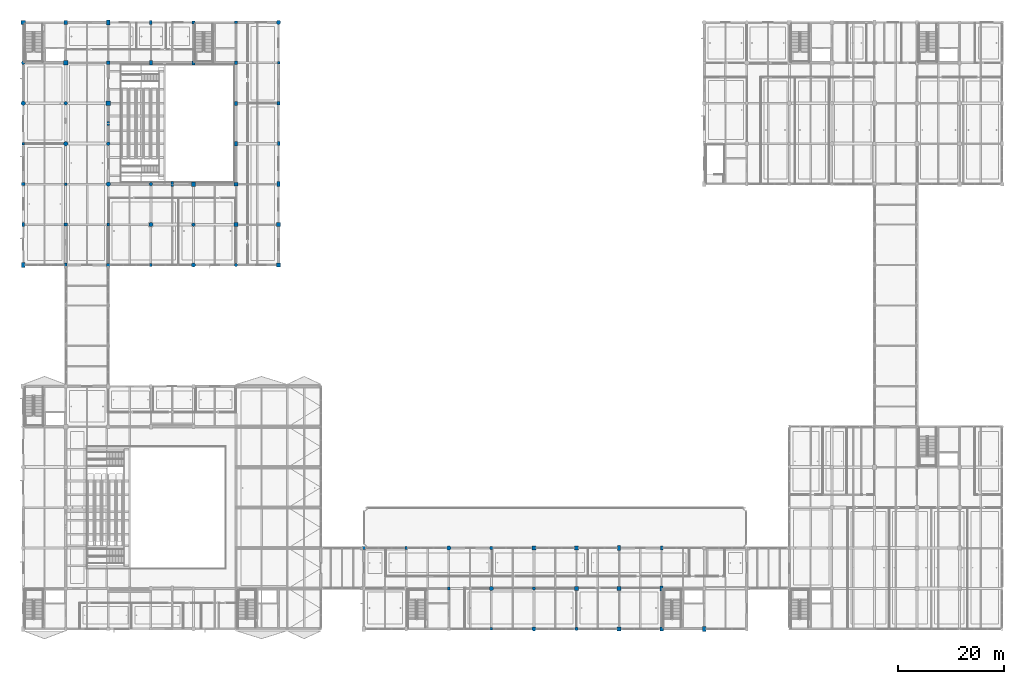
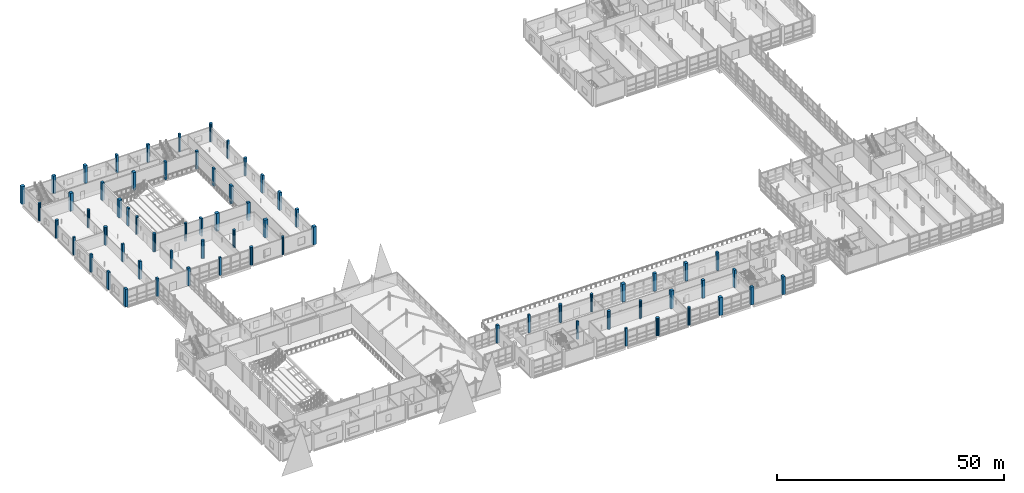
# One storey, part 5 of 147: 67 columns.
"""IFC4 building model written with IfcOpenShell, lengths in metres."""

from ifc_helpers import new_model, si_unit, direction, frame, origin, origin_2d, place, context, subcontext, project, spatial, rectangle, circle, extrude, material, material_profile, profile_set, type_object, element, save


model = new_model("IFC4")

# Units and contexts
model_context = context("Model", 3, precision=1e-05, world=origin(), true_north=direction((0.0, 1.0)))
body_context = subcontext(model_context, "Body", "Model", "MODEL_VIEW")
ifc_project = project(units=[si_unit("LENGTHUNIT", "METRE"), si_unit("AREAUNIT", "SQUARE_METRE"), si_unit("VOLUMEUNIT", "CUBIC_METRE"), si_unit("PLANEANGLEUNIT", "RADIAN"), si_unit("MASSUNIT", "GRAM", prefix="KILO")], contexts=[model_context])

# Site, building, storey
site_placement = place(None, origin())
site = spatial("IfcSite", under=ifc_project, at=site_placement, CompositionType="ELEMENT")
building_placement = place(site_placement, origin())
building = spatial("IfcBuilding", under=site, at=building_placement, Name="Khelvaren Railside Concert Hall", CompositionType="ELEMENT")
storey_placement = place(building_placement, frame((0.0, 0.0, 5.39990234375)))
storey = spatial("IfcBuildingStorey", under=building, at=storey_placement, Name="L01", CompositionType="ELEMENT", Elevation=5.39990234375)

# Columns
ifc_material = material(Name="Concrete C45/55", Category="concrete")
ifc_material_profile_1 = material_profile(ifc_material, rectangle(XDim=0.60009765625, YDim=0.60009765625, at=origin_2d()), Name="RC 600x600")
ifc_profile_set_1 = profile_set([ifc_material_profile_1], Name="Concrete C45/55")
column_type_1 = type_object("IfcColumnType", Name="COL11", PredefinedType="COLUMN", material=ifc_profile_set_1)
for number, where, z_axis, x_axis, name in (
    (1, (64.0, 15.199951171875, 0.0), (0.0, 0.0, 1.0), (1.0, 0.0, 0.0), "V3 L01 Column (64.0,15.2)"),
    (2, (0.0, 83.60009765625, 0.0), (0.0, 0.0, 1.0), (1.0, 0.0, 0.0), "V4 L01 Column (0.0,83.6)"),
    (3, (16.0, 68.39990234375, 0.0), (0.0, 0.0, 1.0), (1.0, 0.0, 0.0), "V4 L01 Column (16.0,68.4)"),
    (4, (32.0, 114.0, 0.0), (0.0, 0.0, 1.0), (1.0, 0.0, 0.0), "V4 L01 Column (32.0,114.0)"),
    (5, (48.0, 98.800048828125, 0.0), (0.0, 0.0, 1.0), (1.0, 0.0, 0.0), "V4 L01 Column (48.0,98.8)"),
):
    element("IfcColumn", number, at=place(storey_placement, frame(where, z_axis=z_axis, x_axis=x_axis)), inside=storey, type_object=column_type_1, Name=name, PredefinedType="COLUMN", context=body_context, shape_type="SweptSolid", body=[
        extrude(rectangle(XDim=0.60009765625, YDim=0.60009765625, at=origin_2d()), origin(), (0.0, 0.0, 1.0), 4.800048828125),
    ])
ifc_material_profile_2 = material_profile(ifc_material, circle(Radius=0.39990234375, at=origin_2d()), Name="RC D800")
ifc_profile_set_2 = profile_set([ifc_material_profile_2], Name="Concrete C45/55")
column_type_2 = type_object("IfcColumnType", Name="COL14", PredefinedType="COLUMN", material=ifc_profile_set_2)
for number, where, z_axis, x_axis, name in (
    (6, (88.0, 7.60009765625, 0.0), (0.0, 0.0, 1.0), (1.0, 0.0, 0.0), "V3 L01 Column (88.0,7.6)"),
    (7, (8.0, 91.199951171875, 0.0), (0.0, 0.0, 1.0), (1.0, 0.0, 0.0), "V4 L01 Column (8.0,91.2)"),
    (8, (16.0, 83.60009765625, 0.0), (0.0, 0.0, 1.0), (1.0, 0.0, 0.0), "V4 L01 Column (16.0,83.6)"),
    (9, (24.0, 76.0, 0.0), (0.0, 0.0, 1.0), (1.0, 0.0, 0.0), "V4 L01 Column (24.0,76.0)"),
):
    element("IfcColumn", number, at=place(storey_placement, frame(where, z_axis=z_axis, x_axis=x_axis)), inside=storey, type_object=column_type_2, Name=name, PredefinedType="COLUMN", context=body_context, shape_type="SweptSolid", body=[
        extrude(circle(Radius=0.39990234375, at=origin_2d()), origin(), (0.0, 0.0, 1.0), 4.800048828125),
    ])
ifc_material_profile_3 = material_profile(ifc_material, rectangle(XDim=0.699951171875, YDim=0.699951171875, at=origin_2d()), Name="RC 700x700")
ifc_profile_set_3 = profile_set([ifc_material_profile_3], Name="Concrete C45/55")
column_type_3 = type_object("IfcColumnType", Name="COL16", PredefinedType="COLUMN", material=ifc_profile_set_3)
for number, where, z_axis, x_axis, name in (
    (10, (104.0, 15.199951171875, 0.0), (0.0, 0.0, 1.0), (1.0, 0.0, 0.0), "V3 L01 Column (104.0,15.2)"),
    (11, (120.0, 0.0, 0.0), (0.0, 0.0, 1.0), (1.0, 0.0, 0.0), "V3 L01 Column (120.0,0.0)"),
    (12, (8.0, 114.0, 0.0), (0.0, 0.0, 1.0), (1.0, 0.0, 0.0), "V4 L01 Column (8.0,114.0)"),
    (13, (48.0, 76.0, 0.0), (0.0, 0.0, 1.0), (1.0, 0.0, 0.0), "V4 L01 Column (48.0,76.0)"),
):
    element("IfcColumn", number, at=place(storey_placement, frame(where, z_axis=z_axis, x_axis=x_axis)), inside=storey, type_object=column_type_3, Name=name, PredefinedType="COLUMN", context=body_context, shape_type="SweptSolid", body=[
        extrude(rectangle(XDim=0.699951171875, YDim=0.699951171875, at=origin_2d()), origin(), (0.0, 0.0, 1.0), 4.800048828125),
    ])
ifc_material_profile_4 = material_profile(ifc_material, rectangle(XDim=0.800048828125, YDim=0.800048828125, at=origin_2d()), Name="RC 800x800")
ifc_profile_set_4 = profile_set([ifc_material_profile_4], Name="Concrete C45/55")
column_type_4 = type_object("IfcColumnType", Name="COL20", PredefinedType="COLUMN", material=ifc_profile_set_4)
for number, where, z_axis, x_axis, name in (
    (14, (104.0, 7.60009765625, 0.0), (0.0, 0.0, 1.0), (1.0, 0.0, 0.0), "V3 L01 Column (104.0,7.6)"),
    (15, (8.0, 106.39990234375, 0.0), (0.0, 0.0, 1.0), (1.0, 0.0, 0.0), "V4 L01 Column (8.0,106.4)"),
    (16, (16.0, 98.800048828125, 0.0), (0.0, 0.0, 1.0), (1.0, 0.0, 0.0), "V4 L01 Column (16.0,98.8)"),
    (17, (32.0, 83.60009765625, 0.0), (0.0, 0.0, 1.0), (1.0, 0.0, 0.0), "V4 L01 Column (32.0,83.6)"),
    (18, (40.0, 76.0, 0.0), (0.0, 0.0, 1.0), (1.0, 0.0, 0.0), "V4 L01 Column (40.0,76.0)"),
):
    element("IfcColumn", number, at=place(storey_placement, frame(where, z_axis=z_axis, x_axis=x_axis)), inside=storey, type_object=column_type_4, Name=name, PredefinedType="COLUMN", context=body_context, shape_type="SweptSolid", body=[
        extrude(rectangle(XDim=0.800048828125, YDim=0.800048828125, at=origin_2d()), origin(), (0.0, 0.0, 1.0), 4.800048828125),
    ])
ifc_material_profile_5 = material_profile(ifc_material, circle(Radius=0.39990234375, at=origin_2d()), Name="RC D800")
ifc_profile_set_5 = profile_set([ifc_material_profile_5], Name="Concrete C45/55")
column_type_5 = type_object("IfcColumnType", Name="COL22", PredefinedType="COLUMN", material=ifc_profile_set_5)
for number, where, z_axis, x_axis, name in (
    (19, (80.0, 15.199951171875, 0.0), (0.0, 0.0, 1.0), (1.0, 0.0, 0.0), "V3 L01 Column (80.0,15.2)"),
    (20, (96.0, 0.0, 0.0), (0.0, 0.0, 1.0), (1.0, 0.0, 0.0), "V3 L01 Column (96.0,0.0)"),
    (21, (0.0, 98.800048828125, 0.0), (0.0, 0.0, 1.0), (1.0, 0.0, 0.0), "V4 L01 Column (0.0,98.8)"),
    (22, (32.0, 68.39990234375, 0.0), (0.0, 0.0, 1.0), (1.0, 0.0, 0.0), "V4 L01 Column (32.0,68.4)"),
    (23, (48.0, 114.0, 0.0), (0.0, 0.0, 1.0), (1.0, 0.0, 0.0), "V4 L01 Column (48.0,114.0)"),
):
    element("IfcColumn", number, at=place(storey_placement, frame(where, z_axis=z_axis, x_axis=x_axis)), inside=storey, type_object=column_type_5, Name=name, PredefinedType="COLUMN", context=body_context, shape_type="SweptSolid", body=[
        extrude(circle(Radius=0.39990234375, at=origin_2d()), origin(), (0.0, 0.0, 1.0), 4.800048828125),
    ])
ifc_material_profile_6 = material_profile(ifc_material, rectangle(XDim=0.60009765625, YDim=0.60009765625, at=origin_2d()), Name="RC 600x600")
ifc_profile_set_6 = profile_set([ifc_material_profile_6], Name="Concrete C45/55")
column_type_6 = type_object("IfcColumnType", Name="COL29", PredefinedType="COLUMN", material=ifc_profile_set_6)
for number, where, z_axis, x_axis, name in (
    (24, (8.0, 76.0, 0.0), (0.0, 0.0, 1.0), (1.0, 0.0, 0.0), "V4 L01 Column (8.0,76.0)"),
    (25, (40.0, 106.39990234375, 0.0), (0.0, 0.0, 1.0), (1.0, 0.0, 0.0), "V4 L01 Column (40.0,106.4)"),
):
    element("IfcColumn", number, at=place(storey_placement, frame(where, z_axis=z_axis, x_axis=x_axis)), inside=storey, type_object=column_type_6, Name=name, PredefinedType="COLUMN", context=body_context, shape_type="SweptSolid", body=[
        extrude(rectangle(XDim=0.60009765625, YDim=0.60009765625, at=origin_2d()), origin(), (0.0, 0.0, 1.0), 4.800048828125),
    ])
ifc_material_profile_7 = material_profile(ifc_material, rectangle(XDim=0.60009765625, YDim=0.89990234375, at=origin_2d()), Name="RC 600x900")
ifc_profile_set_7 = profile_set([ifc_material_profile_7], Name="Concrete C45/55")
column_type_7 = type_object("IfcColumnType", Name="COL33", PredefinedType="COLUMN", material=ifc_profile_set_7)
for number, where, z_axis, x_axis, name in (
    (26, (120.0, 7.60009765625, 0.0), (0.0, 0.0, 1.0), (1.0, 0.0, 0.0), "V3 L01 Column (120.0,7.6)"),
    (27, (24.0, 106.39990234375, 0.0), (0.0, 0.0, 1.0), (1.0, 0.0, 0.0), "V4 L01 Column (24.0,106.4)"),
    (28, (40.0, 91.199951171875, 0.0), (0.0, 0.0, 1.0), (1.0, 0.0, 0.0), "V4 L01 Column (40.0,91.2)"),
):
    element("IfcColumn", number, at=place(storey_placement, frame(where, z_axis=z_axis, x_axis=x_axis)), inside=storey, type_object=column_type_7, Name=name, PredefinedType="COLUMN", context=body_context, shape_type="SweptSolid", body=[
        extrude(rectangle(XDim=0.60009765625, YDim=0.89990234375, at=origin_2d()), origin(), (0.0, 0.0, 1.0), 4.800048828125),
    ])
ifc_material_profile_8 = material_profile(ifc_material, rectangle(XDim=0.5, YDim=0.5, at=origin_2d()), Name="RC 500x500")
ifc_profile_set_8 = profile_set([ifc_material_profile_8], Name="Concrete C45/55")
column_type_8 = type_object("IfcColumnType", Name="COL35", PredefinedType="COLUMN", material=ifc_profile_set_8)
for number, where, z_axis, x_axis, name in (
    (29, (72.0, 15.199951171875, 0.0), (0.0, 0.0, 1.0), (1.0, 0.0, 0.0), "V3 L01 Column (72.0,15.2)"),
    (30, (88.0, 0.0, 0.0), (0.0, 0.0, 1.0), (1.0, 0.0, 0.0), "V3 L01 Column (88.0,0.0)"),
    (31, (0.0, 91.199951171875, 0.0), (0.0, 0.0, 1.0), (1.0, 0.0, 0.0), "V4 L01 Column (0.0,91.2)"),
    (32, (24.0, 68.39990234375, 0.0), (0.0, 0.0, 1.0), (1.0, 0.0, 0.0), "V4 L01 Column (24.0,68.4)"),
    (33, (40.0, 114.0, 0.0), (0.0, 0.0, 1.0), (1.0, 0.0, 0.0), "V4 L01 Column (40.0,114.0)"),
    (34, (48.0, 106.39990234375, 0.0), (0.0, 0.0, 1.0), (1.0, 0.0, 0.0), "V4 L01 Column (48.0,106.4)"),
):
    element("IfcColumn", number, at=place(storey_placement, frame(where, z_axis=z_axis, x_axis=x_axis)), inside=storey, type_object=column_type_8, Name=name, PredefinedType="COLUMN", context=body_context, shape_type="SweptSolid", body=[
        extrude(rectangle(XDim=0.5, YDim=0.5, at=origin_2d()), origin(), (0.0, 0.0, 1.0), 4.800048828125),
    ])
ifc_material_profile_9 = material_profile(ifc_material, rectangle(XDim=0.5, YDim=0.75, at=origin_2d()), Name="RC 500x750")
ifc_profile_set_9 = profile_set([ifc_material_profile_9], Name="Concrete C45/55")
column_type_9 = type_object("IfcColumnType", Name="COL36", PredefinedType="COLUMN", material=ifc_profile_set_9)
for number, where, z_axis, x_axis, name in (
    (35, (32.0, 106.39990234375, 0.0), (0.0, 0.0, 1.0), (1.0, 0.0, 0.0), "V4 L01 Column (32.0,106.4)"),
    (36, (40.0, 98.800048828125, 0.0), (0.0, 0.0, 1.0), (1.0, 0.0, 0.0), "V4 L01 Column (40.0,98.8)"),
):
    element("IfcColumn", number, at=place(storey_placement, frame(where, z_axis=z_axis, x_axis=x_axis)), inside=storey, type_object=column_type_9, Name=name, PredefinedType="COLUMN", context=body_context, shape_type="SweptSolid", body=[
        extrude(rectangle(XDim=0.5, YDim=0.75, at=origin_2d()), origin(), (0.0, 0.0, 1.0), 4.800048828125),
    ])
ifc_material_profile_10 = material_profile(ifc_material, rectangle(XDim=0.800048828125, YDim=0.800048828125, at=origin_2d()), Name="RC 800x800")
ifc_profile_set_10 = profile_set([ifc_material_profile_10], Name="Concrete C45/55")
column_type_10 = type_object("IfcColumnType", Name="COL38", PredefinedType="COLUMN", material=ifc_profile_set_10)
for number, where, z_axis, x_axis, name in (
    (37, (96.0, 15.199951171875, 0.0), (0.0, 0.0, 1.0), (1.0, 0.0, 0.0), "V3 L01 Column (96.0,15.2)"),
    (38, (112.0, 0.0, 0.0), (0.0, 0.0, 1.0), (1.0, 0.0, 0.0), "V3 L01 Column (112.0,0.0)"),
    (39, (0.0, 114.0, 0.0), (0.0, 0.0, 1.0), (1.0, 0.0, 0.0), "V4 L01 Column (0.0,114.0)"),
    (40, (48.0, 68.39990234375, 0.0), (0.0, 0.0, 1.0), (1.0, 0.0, 0.0), "V4 L01 Column (48.0,68.4)"),
):
    element("IfcColumn", number, at=place(storey_placement, frame(where, z_axis=z_axis, x_axis=x_axis)), inside=storey, type_object=column_type_10, Name=name, PredefinedType="COLUMN", context=body_context, shape_type="SweptSolid", body=[
        extrude(rectangle(XDim=0.800048828125, YDim=0.800048828125, at=origin_2d()), origin(), (0.0, 0.0, 1.0), 4.800048828125),
    ])
ifc_material_profile_11 = material_profile(ifc_material, circle(Radius=0.324951171875, at=origin_2d()), Name="RC D650")
ifc_profile_set_11 = profile_set([ifc_material_profile_11], Name="Concrete C45/55")
column_type_11 = type_object("IfcColumnType", Name="COL53", PredefinedType="COLUMN", material=ifc_profile_set_11)
for number, where, z_axis, x_axis, name in (
    (41, (88.0, 15.199951171875, 0.0), (0.0, 0.0, 1.0), (1.0, 0.0, 0.0), "V3 L01 Column (88.0,15.2)"),
    (42, (104.0, 0.0, 0.0), (0.0, 0.0, 1.0), (1.0, 0.0, 0.0), "V3 L01 Column (104.0,0.0)"),
    (43, (0.0, 106.39990234375, 0.0), (0.0, 0.0, 1.0), (1.0, 0.0, 0.0), "V4 L01 Column (0.0,106.4)"),
    (44, (40.0, 68.39990234375, 0.0), (0.0, 0.0, 1.0), (1.0, 0.0, 0.0), "V4 L01 Column (40.0,68.4)"),
):
    element("IfcColumn", number, at=place(storey_placement, frame(where, z_axis=z_axis, x_axis=x_axis)), inside=storey, type_object=column_type_11, Name=name, PredefinedType="COLUMN", context=body_context, shape_type="SweptSolid", body=[
        extrude(circle(Radius=0.324951171875, at=origin_2d()), origin(), (0.0, 0.0, 1.0), 4.800048828125),
    ])
ifc_material_profile_12 = material_profile(ifc_material, rectangle(XDim=0.699951171875, YDim=0.699951171875, at=origin_2d()), Name="RC 700x700")
ifc_profile_set_12 = profile_set([ifc_material_profile_12], Name="Concrete C45/55")
column_type_12 = type_object("IfcColumnType", Name="COL74", PredefinedType="COLUMN", material=ifc_profile_set_12)
for number, where, z_axis, x_axis, name in (
    (45, (112.0, 7.60009765625, 0.0), (0.0, 0.0, 1.0), (1.0, 0.0, 0.0), "V3 L01 Column (112.0,7.6)"),
    (46, (16.0, 106.39990234375, 0.0), (0.0, 0.0, 1.0), (1.0, 0.0, 0.0), "V4 L01 Column (16.0,106.4)"),
    (47, (40.0, 83.60009765625, 0.0), (0.0, 0.0, 1.0), (1.0, 0.0, 0.0), "V4 L01 Column (40.0,83.6)"),
):
    element("IfcColumn", number, at=place(storey_placement, frame(where, z_axis=z_axis, x_axis=x_axis)), inside=storey, type_object=column_type_12, Name=name, PredefinedType="COLUMN", context=body_context, shape_type="SweptSolid", body=[
        extrude(rectangle(XDim=0.699951171875, YDim=0.699951171875, at=origin_2d()), origin(), (0.0, 0.0, 1.0), 4.800048828125),
    ])
ifc_material_profile_13 = material_profile(ifc_material, rectangle(XDim=0.5, YDim=0.5, at=origin_2d()), Name="RC 500x500")
ifc_profile_set_13 = profile_set([ifc_material_profile_13], Name="Concrete C45/55")
column_type_13 = type_object("IfcColumnType", Name="COL84", PredefinedType="COLUMN", material=ifc_profile_set_13)
for number, where, z_axis, x_axis, name in (
    (48, (80.0, 7.60009765625, 0.0), (0.0, 0.0, 1.0), (1.0, 0.0, 0.0), "V3 L01 Column (80.0,7.6)"),
    (49, (8.0, 83.60009765625, 0.0), (0.0, 0.0, 1.0), (1.0, 0.0, 0.0), "V4 L01 Column (8.0,83.6)"),
    (50, (16.0, 76.0, 0.0), (0.0, 0.0, 1.0), (1.0, 0.0, 0.0), "V4 L01 Column (16.0,76.0)"),
):
    element("IfcColumn", number, at=place(storey_placement, frame(where, z_axis=z_axis, x_axis=x_axis)), inside=storey, type_object=column_type_13, Name=name, PredefinedType="COLUMN", context=body_context, shape_type="SweptSolid", body=[
        extrude(rectangle(XDim=0.5, YDim=0.5, at=origin_2d()), origin(), (0.0, 0.0, 1.0), 4.800048828125),
    ])
ifc_material_profile_14 = material_profile(ifc_material, circle(Radius=0.324951171875, at=origin_2d()), Name="RC D650")
ifc_profile_set_14 = profile_set([ifc_material_profile_14], Name="Concrete C45/55")
column_type_14 = type_object("IfcColumnType", Name="COL94", PredefinedType="COLUMN", material=ifc_profile_set_14)
for number, where, z_axis, x_axis, name in (
    (51, (96.0, 7.60009765625, 0.0), (0.0, 0.0, 1.0), (1.0, 0.0, 0.0), "V3 L01 Column (96.0,7.6)"),
    (52, (8.0, 98.800048828125, 0.0), (0.0, 0.0, 1.0), (1.0, 0.0, 0.0), "V4 L01 Column (8.0,98.8)"),
    (53, (16.0, 91.199951171875, 0.0), (0.0, 0.0, 1.0), (1.0, 0.0, 0.0), "V4 L01 Column (16.0,91.2)"),
    (54, (24.0, 83.60009765625, 0.0), (0.0, 0.0, 1.0), (1.0, 0.0, 0.0), "V4 L01 Column (24.0,83.6)"),
    (55, (32.0, 76.0, 0.0), (0.0, 0.0, 1.0), (1.0, 0.0, 0.0), "V4 L01 Column (32.0,76.0)"),
):
    element("IfcColumn", number, at=place(storey_placement, frame(where, z_axis=z_axis, x_axis=x_axis)), inside=storey, type_object=column_type_14, Name=name, PredefinedType="COLUMN", context=body_context, shape_type="SweptSolid", body=[
        extrude(circle(Radius=0.324951171875, at=origin_2d()), origin(), (0.0, 0.0, 1.0), 4.800048828125),
    ])
ifc_material_profile_15 = material_profile(ifc_material, rectangle(XDim=0.60009765625, YDim=0.89990234375, at=origin_2d()), Name="RC 600x900")
ifc_profile_set_15 = profile_set([ifc_material_profile_15], Name="Concrete C45/55")
column_type_15 = type_object("IfcColumnType", Name="COL95", PredefinedType="COLUMN", material=ifc_profile_set_15)
for number, where, z_axis, x_axis, name in (
    (56, (112.0, 15.199951171875, 0.0), (0.0, 0.0, 1.0), (1.0, 0.0, 0.0), "V3 L01 Column (112.0,15.2)"),
    (57, (128.0, 0.0, 0.0), (0.0, 0.0, 1.0), (1.0, 0.0, 0.0), "V3 L01 Column (128.0,0.0)"),
    (58, (0.0, 68.39990234375, 0.0), (0.0, 0.0, 1.0), (1.0, 0.0, 0.0), "V4 L01 Column (0.0,68.4)"),
    (59, (16.0, 114.0, 0.0), (0.0, 0.0, 1.0), (1.0, 0.0, 0.0), "V4 L01 Column (16.0,114.0)"),
    (60, (48.0, 83.60009765625, 0.0), (0.0, 0.0, 1.0), (1.0, 0.0, 0.0), "V4 L01 Column (48.0,83.6)"),
):
    element("IfcColumn", number, at=place(storey_placement, frame(where, z_axis=z_axis, x_axis=x_axis)), inside=storey, type_object=column_type_15, Name=name, PredefinedType="COLUMN", context=body_context, shape_type="SweptSolid", body=[
        extrude(rectangle(XDim=0.60009765625, YDim=0.89990234375, at=origin_2d()), origin(), (0.0, 0.0, 1.0), 4.800048828125),
    ])
ifc_material_profile_16 = material_profile(ifc_material, rectangle(XDim=0.5, YDim=0.75, at=origin_2d()), Name="RC 500x750")
ifc_profile_set_16 = profile_set([ifc_material_profile_16], Name="Concrete C45/55")
column_type_16 = type_object("IfcColumnType", Name="COL97", PredefinedType="COLUMN", material=ifc_profile_set_16)
for number, where, z_axis, x_axis, name in (
    (61, (120.0, 15.199951171875, 0.0), (0.0, 0.0, 1.0), (1.0, 0.0, 0.0), "V3 L01 Column (120.0,15.2)"),
    (62, (0.0, 76.0, 0.0), (0.0, 0.0, 1.0), (1.0, 0.0, 0.0), "V4 L01 Column (0.0,76.0)"),
    (63, (8.0, 68.39990234375, 0.0), (0.0, 0.0, 1.0), (1.0, 0.0, 0.0), "V4 L01 Column (8.0,68.4)"),
    (64, (24.0, 114.0, 0.0), (0.0, 0.0, 1.0), (1.0, 0.0, 0.0), "V4 L01 Column (24.0,114.0)"),
    (65, (48.0, 91.199951171875, 0.0), (0.0, 0.0, 1.0), (1.0, 0.0, 0.0), "V4 L01 Column (48.0,91.2)"),
):
    element("IfcColumn", number, at=place(storey_placement, frame(where, z_axis=z_axis, x_axis=x_axis)), inside=storey, type_object=column_type_16, Name=name, PredefinedType="COLUMN", context=body_context, shape_type="SweptSolid", body=[
        extrude(rectangle(XDim=0.5, YDim=0.75, at=origin_2d()), origin(), (0.0, 0.0, 1.0), 4.800048828125),
    ])
ifc_material_profile_17 = material_profile(ifc_material, rectangle(XDim=0.5, YDim=0.89990234375, at=origin_2d()), Name="PIL 500x900")
ifc_profile_set_17 = profile_set([ifc_material_profile_17], Name="Concrete C45/55")
column_type_17 = type_object("IfcColumnType", Name="PIL31", PredefinedType="PILASTER", material=ifc_profile_set_17)
column_1_placement = place(storey_placement, frame((28.0, 83.60009765625, 0.0), z_axis=(0.0, 0.0, 1.0), x_axis=(1.0, 0.0, 0.0)))
element("IfcColumn", 66, at=column_1_placement, inside=storey, type_object=column_type_17, Name="Acoustic Buttress Pilaster 18", PredefinedType="PILASTER", context=body_context, shape_type="SweptSolid", body=[
    extrude(rectangle(XDim=0.5, YDim=0.89990234375, at=origin_2d()), origin(), (0.0, 0.0, 1.0), 4.800048828125),
])
ifc_material_profile_18 = material_profile(ifc_material, rectangle(XDim=0.449951171875, YDim=0.800048828125, at=origin_2d()), Name="PIL 450x800")
ifc_profile_set_18 = profile_set([ifc_material_profile_18], Name="Concrete C45/55")
column_type_18 = type_object("IfcColumnType", Name="PIL63", PredefinedType="PILASTER", material=ifc_profile_set_18)
column_2_placement = place(storey_placement, frame((16.0, 95.0, 0.0), z_axis=(0.0, 0.0, 1.0), x_axis=(1.0, 0.0, 0.0)))
element("IfcColumn", 67, at=column_2_placement, inside=storey, type_object=column_type_18, Name="Acoustic Buttress Pilaster 17", PredefinedType="PILASTER", context=body_context, shape_type="SweptSolid", body=[
    extrude(rectangle(XDim=0.449951171875, YDim=0.800048828125, at=origin_2d()), origin(), (0.0, 0.0, 1.0), 4.800048828125),
])

save(model, "model.ifc")
